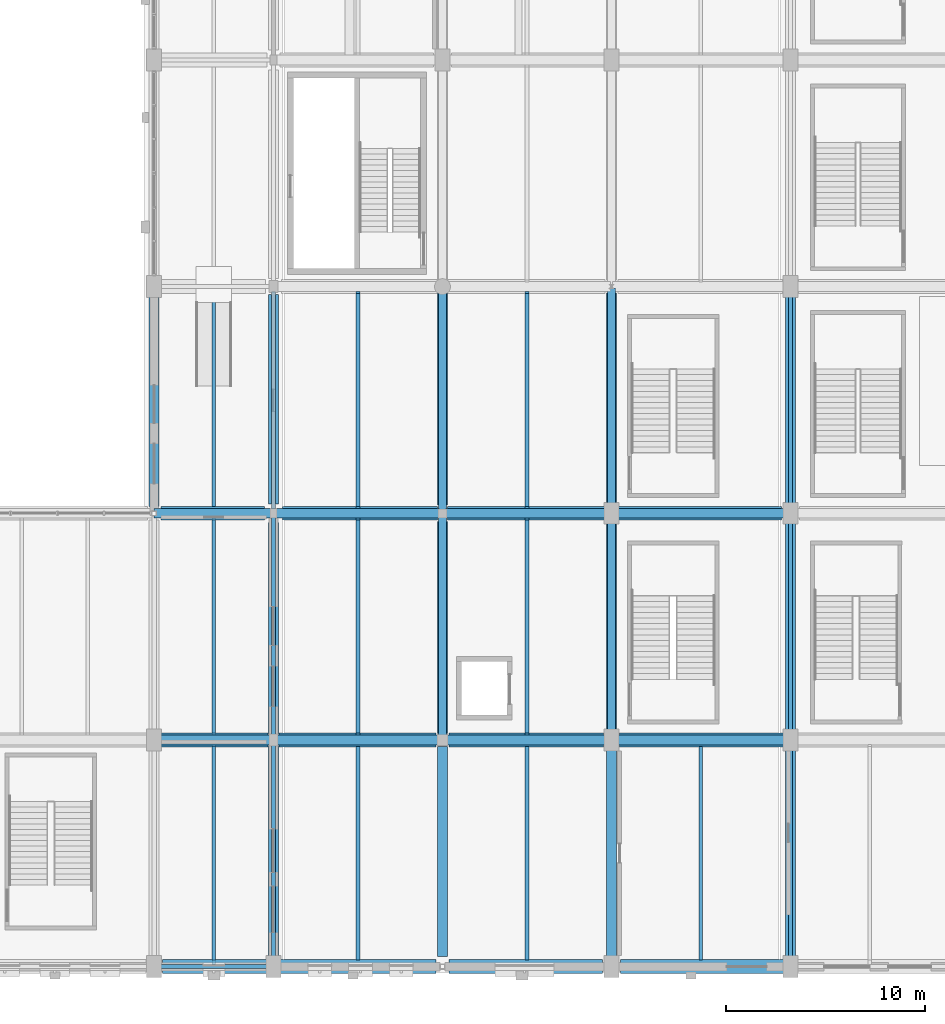
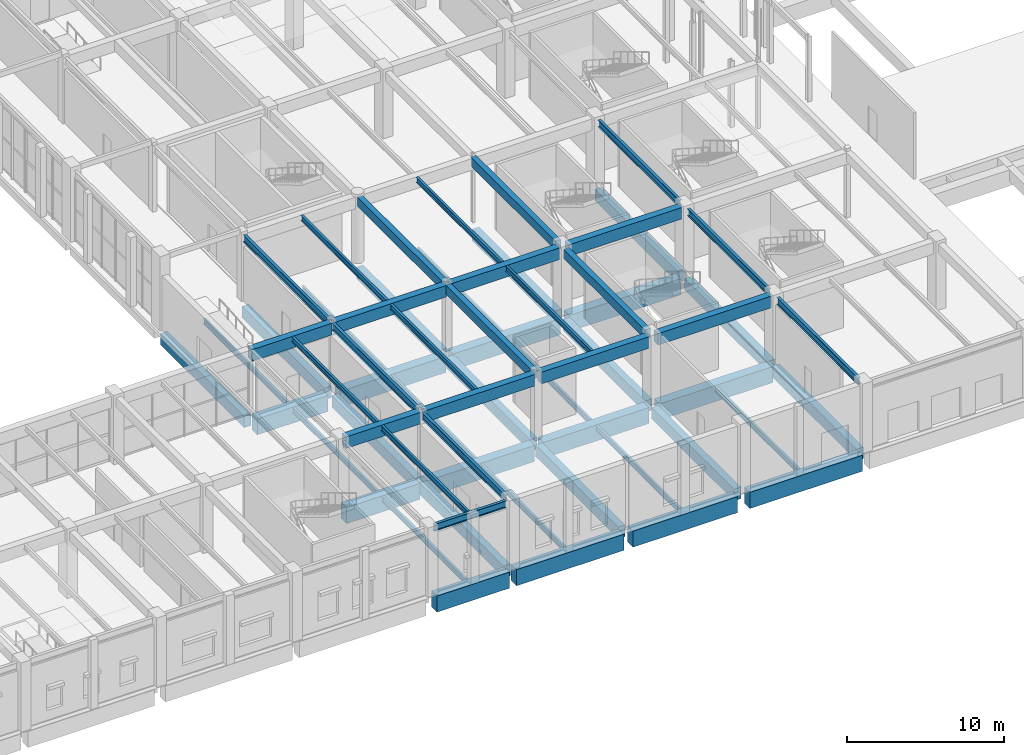
# One storey, part 43 of 113: 60 beams.
"""IFC4 building model written with IfcOpenShell, lengths in metres."""

from ifc_helpers import new_model, si_unit, direction, frame, origin, origin_2d, place, context, subcontext, project, spatial, rectangle, i_section, extrude, material, material_profile, profile_set, type_object, element, save


model = new_model("IFC4")

# Units and contexts
model_context = context("Model", 3, precision=1e-05, world=origin(), true_north=direction((0.0, 1.0)))
body_context = subcontext(model_context, "Body", "Model", "MODEL_VIEW")
ifc_project = project(units=[si_unit("LENGTHUNIT", "METRE"), si_unit("AREAUNIT", "SQUARE_METRE"), si_unit("VOLUMEUNIT", "CUBIC_METRE"), si_unit("PLANEANGLEUNIT", "RADIAN"), si_unit("MASSUNIT", "GRAM", prefix="KILO"), si_unit("POWERUNIT", "WATT"), si_unit("THERMODYNAMICTEMPERATUREUNIT", "KELVIN")], contexts=[model_context])

# Site, building, storey
site_placement = place(None, origin())
site = spatial("IfcSite", under=ifc_project, at=site_placement, CompositionType="ELEMENT")
building_placement = place(site_placement, origin())
building = spatial("IfcBuilding", under=site, at=building_placement, Name="Kelmbourne Parkland Aquatics Centre", CompositionType="ELEMENT")
storey_placement = place(building_placement, origin())
storey = spatial("IfcBuildingStorey", under=building, at=storey_placement, Name="L00", CompositionType="ELEMENT", Elevation=0.0)

# Beams
ifc_material_1 = material(Name="Concrete C40/50", Category="concrete")
ifc_material_profile_1 = material_profile(ifc_material_1, rectangle(XDim=0.5, YDim=0.89990234375, at=origin_2d()), Name="RC 500x900")
ifc_profile_set_1 = profile_set([ifc_material_profile_1], Name="Concrete C40/50")
beam_type_1 = type_object("IfcBeamType", Name="BM-G03", PredefinedType="BEAM", material=ifc_profile_set_1)
beam_1_placement = place(storey_placement, frame((96.0, 23.929931640625, -0.72998046875), z_axis=(0.0, 1.0, 0.0), x_axis=(-1.0, 0.0, 0.0)))
element("IfcBeam", 1, at=beam_1_placement, inside=storey, type_object=beam_type_1, Name="Primary girder 04-05 Grid L (L00)", PredefinedType="BEAM", context=body_context, shape_type="SweptSolid", body=[
    extrude(rectangle(XDim=0.5, YDim=0.89990234375, at=origin_2d()), origin(), (0.0, 0.0, 1.0), 10.6650390625),
])
beam_2_placement = place(storey_placement, frame((102.0, 1.205078125, -0.72998046875), z_axis=(0.0, 1.0, 0.0), x_axis=(-1.0, 0.0, 0.0)))
element("IfcBeam", 2, at=beam_2_placement, inside=storey, type_object=beam_type_1, Name="Primary girder 01-03 Grid M (L00)", PredefinedType="BEAM", context=body_context, shape_type="SweptSolid", body=[
    extrude(rectangle(XDim=0.5, YDim=0.89990234375, at=origin_2d()), origin(), (0.0, 0.0, 1.0), 10.71484375),
])
beam_3_placement = place(storey_placement, frame((102.0, 12.47998046875, -0.72998046875), z_axis=(0.0, 1.0, 0.0), x_axis=(-1.0, 0.0, 0.0)))
element("IfcBeam", 3, at=beam_3_placement, inside=storey, type_object=beam_type_1, Name="Primary girder 03-04 Grid M (L00)", PredefinedType="BEAM", context=body_context, shape_type="SweptSolid", body=[
    extrude(rectangle(XDim=0.5, YDim=0.89990234375, at=origin_2d()), origin(), (0.0, 0.0, 1.0), 10.6650390625),
])
beam_4_placement = place(storey_placement, frame((102.0, 24.054931640625, -0.72998046875), z_axis=(0.0, 1.0, 0.0), x_axis=(-1.0, 0.0, 0.0)))
element("IfcBeam", 4, at=beam_4_placement, inside=storey, type_object=beam_type_1, Name="Primary girder 04-05 Grid M (L00)", PredefinedType="BEAM", context=body_context, shape_type="SweptSolid", body=[
    extrude(rectangle(XDim=0.5, YDim=0.89990234375, at=origin_2d()), origin(), (0.0, 0.0, 1.0), 10.5400390625),
])
beam_5_placement = place(storey_placement, frame((110.5, 1.304931640625, -0.72998046875), z_axis=(0.0, 1.0, 0.0), x_axis=(-1.0, 0.0, 0.0)))
element("IfcBeam", 5, at=beam_5_placement, inside=storey, type_object=beam_type_1, Name="Primary girder 01-03 Grid N (L00)", PredefinedType="BEAM", context=body_context, shape_type="SweptSolid", body=[
    extrude(rectangle(XDim=0.5, YDim=0.89990234375, at=origin_2d()), origin(), (0.0, 0.0, 1.0), 10.565185546875),
])
beam_6_placement = place(storey_placement, frame((110.5, 12.530029296875, -0.72998046875), z_axis=(0.0, 1.0, 0.0), x_axis=(-1.0, 0.0, 0.0)))
element("IfcBeam", 6, at=beam_6_placement, inside=storey, type_object=beam_type_1, Name="Primary girder 03-04 Grid N (L00)", PredefinedType="BEAM", context=body_context, shape_type="SweptSolid", body=[
    extrude(rectangle(XDim=0.5, YDim=0.89990234375, at=origin_2d()), origin(), (0.0, 0.0, 1.0), 10.6650390625),
])
beam_7_placement = place(storey_placement, frame((110.5, 24.0048828125, -0.72998046875), z_axis=(0.0, 1.0, 0.0), x_axis=(-1.0, 0.0, 0.0)))
element("IfcBeam", 7, at=beam_7_placement, inside=storey, type_object=beam_type_1, Name="Primary girder 04-05 Grid N (L00)", PredefinedType="BEAM", context=body_context, shape_type="SweptSolid", body=[
    extrude(rectangle(XDim=0.5, YDim=0.89990234375, at=origin_2d()), origin(), (0.0, 0.0, 1.0), 10.715087890625),
])
beam_8_placement = place(storey_placement, frame((119.0, 1.2548828125, -0.72998046875), z_axis=(0.0, 1.0, 0.0), x_axis=(-1.0, 0.0, 0.0)))
element("IfcBeam", 8, at=beam_8_placement, inside=storey, type_object=beam_type_1, Name="Primary girder 01-03 Grid O (L00)", PredefinedType="BEAM", context=body_context, shape_type="SweptSolid", body=[
    extrude(rectangle(XDim=0.5, YDim=0.89990234375, at=origin_2d()), origin(), (0.0, 0.0, 1.0), 10.5400390625),
])
beam_9_placement = place(storey_placement, frame((119.0, 12.60498046875, -0.72998046875), z_axis=(0.0, 1.0, 0.0), x_axis=(-1.0, 0.0, 0.0)))
element("IfcBeam", 9, at=beam_9_placement, inside=storey, type_object=beam_type_1, Name="Primary girder 03-04 Grid O (L00)", PredefinedType="BEAM", context=body_context, shape_type="SweptSolid", body=[
    extrude(rectangle(XDim=0.5, YDim=0.89990234375, at=origin_2d()), origin(), (0.0, 0.0, 1.0), 10.489990234375),
])
beam_10_placement = place(storey_placement, frame((119.0, 24.10498046875, -0.72998046875), z_axis=(0.0, 1.0, 0.0), x_axis=(-1.0, 0.0, 0.0)))
element("IfcBeam", 10, at=beam_10_placement, inside=storey, type_object=beam_type_1, Name="Primary girder 04-05 Grid O (L00)", PredefinedType="BEAM", context=body_context, shape_type="SweptSolid", body=[
    extrude(rectangle(XDim=0.5, YDim=0.89990234375, at=origin_2d()), origin(), (0.0, 0.0, 1.0), 10.56494140625),
])
beam_11_placement = place(storey_placement, frame((128.0, 1.205078125, -0.72998046875), z_axis=(0.0, 1.0, 0.0), x_axis=(-1.0, 0.0, 0.0)))
element("IfcBeam", 11, at=beam_11_placement, inside=storey, type_object=beam_type_1, Name="Primary girder 01-03 Grid P (L00)", PredefinedType="BEAM", context=body_context, shape_type="SweptSolid", body=[
    extrude(rectangle(XDim=0.5, YDim=0.89990234375, at=origin_2d()), origin(), (0.0, 0.0, 1.0), 10.71484375),
])
beam_12_placement = place(storey_placement, frame((128.0, 12.47998046875, -0.72998046875), z_axis=(0.0, 1.0, 0.0), x_axis=(-1.0, 0.0, 0.0)))
element("IfcBeam", 12, at=beam_12_placement, inside=storey, type_object=beam_type_1, Name="Primary girder 03-04 Grid P (L00)", PredefinedType="BEAM", context=body_context, shape_type="SweptSolid", body=[
    extrude(rectangle(XDim=0.5, YDim=0.89990234375, at=origin_2d()), origin(), (0.0, 0.0, 1.0), 10.6650390625),
])
beam_13_placement = place(storey_placement, frame((128.0, 24.054931640625, -0.72998046875), z_axis=(0.0, 1.0, 0.0), x_axis=(-1.0, 0.0, 0.0)))
element("IfcBeam", 13, at=beam_13_placement, inside=storey, type_object=beam_type_1, Name="Primary girder 04-05 Grid P (L00)", PredefinedType="BEAM", context=body_context, shape_type="SweptSolid", body=[
    extrude(rectangle(XDim=0.5, YDim=0.89990234375, at=origin_2d()), origin(), (0.0, 0.0, 1.0), 10.5400390625),
])
beam_14_placement = place(storey_placement, frame((96.330078125, 12.199951171875, 4.7099609375), z_axis=(1.0, 0.0, 0.0), x_axis=(0.0, 1.0, 0.0)))
element("IfcBeam", 14, at=beam_14_placement, inside=storey, type_object=beam_type_1, Name="Primary girder L-M Grid 03 (L01)", PredefinedType="BEAM", context=body_context, shape_type="SweptSolid", body=[
    extrude(rectangle(XDim=0.5, YDim=0.89990234375, at=origin_2d()), origin(), (0.0, 0.0, 1.0), 5.489990234375),
])
beam_15_placement = place(storey_placement, frame((102.179931640625, 12.199951171875, 4.7099609375), z_axis=(1.0, 0.0, 0.0), x_axis=(0.0, 1.0, 0.0)))
element("IfcBeam", 15, at=beam_15_placement, inside=storey, type_object=beam_type_1, Name="Primary girder M-N Grid 03 (L01)", PredefinedType="BEAM", context=body_context, shape_type="SweptSolid", body=[
    extrude(rectangle(XDim=0.5, YDim=0.89990234375, at=origin_2d()), origin(), (0.0, 0.0, 1.0), 8.090087890625),
])
beam_16_placement = place(storey_placement, frame((110.72998046875, 12.199951171875, 4.7099609375), z_axis=(1.0, 0.0, 0.0), x_axis=(0.0, 1.0, 0.0)))
element("IfcBeam", 16, at=beam_16_placement, inside=storey, type_object=beam_type_1, Name="Primary girder N-O Grid 03 (L01)", PredefinedType="BEAM", context=body_context, shape_type="SweptSolid", body=[
    extrude(rectangle(XDim=0.5, YDim=0.89990234375, at=origin_2d()), origin(), (0.0, 0.0, 1.0), 7.93994140625),
])
beam_17_placement = place(storey_placement, frame((119.330078125, 12.199951171875, 4.7099609375), z_axis=(1.0, 0.0, 0.0), x_axis=(0.0, 1.0, 0.0)))
element("IfcBeam", 17, at=beam_17_placement, inside=storey, type_object=beam_type_1, Name="Primary girder O-P Grid 03 (L01)", PredefinedType="BEAM", context=body_context, shape_type="SweptSolid", body=[
    extrude(rectangle(XDim=0.5, YDim=0.89990234375, at=origin_2d()), origin(), (0.0, 0.0, 1.0), 8.33984375),
])
beam_18_placement = place(storey_placement, frame((96.0, 23.60009765625, 4.7099609375), z_axis=(1.0, 0.0, 0.0), x_axis=(0.0, 1.0, 0.0)))
element("IfcBeam", 18, at=beam_18_placement, inside=storey, type_object=beam_type_1, Name="Primary girder L-M Grid 04 (L01)", PredefinedType="BEAM", context=body_context, shape_type="SweptSolid", body=[
    extrude(rectangle(XDim=0.5, YDim=0.89990234375, at=origin_2d()), origin(), (0.0, 0.0, 1.0), 5.8701171875),
])
beam_19_placement = place(storey_placement, frame((102.1298828125, 23.60009765625, 4.7099609375), z_axis=(1.0, 0.0, 0.0), x_axis=(0.0, 1.0, 0.0)))
element("IfcBeam", 19, at=beam_19_placement, inside=storey, type_object=beam_type_1, Name="Primary girder M-N Grid 04 (L01)", PredefinedType="BEAM", context=body_context, shape_type="SweptSolid", body=[
    extrude(rectangle(XDim=0.5, YDim=0.89990234375, at=origin_2d()), origin(), (0.0, 0.0, 1.0), 8.190185546875),
])
beam_20_placement = place(storey_placement, frame((110.679931640625, 23.60009765625, 4.7099609375), z_axis=(1.0, 0.0, 0.0), x_axis=(0.0, 1.0, 0.0)))
element("IfcBeam", 20, at=beam_20_placement, inside=storey, type_object=beam_type_1, Name="Primary girder N-O Grid 04 (L01)", PredefinedType="BEAM", context=body_context, shape_type="SweptSolid", body=[
    extrude(rectangle(XDim=0.5, YDim=0.89990234375, at=origin_2d()), origin(), (0.0, 0.0, 1.0), 7.989990234375),
])
beam_21_placement = place(storey_placement, frame((119.330078125, 23.60009765625, 4.7099609375), z_axis=(1.0, 0.0, 0.0), x_axis=(0.0, 1.0, 0.0)))
element("IfcBeam", 21, at=beam_21_placement, inside=storey, type_object=beam_type_1, Name="Primary girder O-P Grid 04 (L01)", PredefinedType="BEAM", context=body_context, shape_type="SweptSolid", body=[
    extrude(rectangle(XDim=0.5, YDim=0.89990234375, at=origin_2d()), origin(), (0.0, 0.0, 1.0), 8.33984375),
])
ifc_material_profile_2 = material_profile(ifc_material_1, rectangle(XDim=0.39990234375, YDim=0.699951171875, at=origin_2d()), Name="RC 400x700")
ifc_profile_set_2 = profile_set([ifc_material_profile_2], Name="Concrete C40/50")
beam_type_2 = type_object("IfcBeamType", Name="BM-G05", PredefinedType="BEAM", material=ifc_profile_set_2)
beam_22_placement = place(storey_placement, frame((110.5, 12.429931640625, 4.81005859375), z_axis=(0.0, 1.0, 0.0), x_axis=(-1.0, 0.0, 0.0)))
element("IfcBeam", 22, at=beam_22_placement, inside=storey, type_object=beam_type_2, Name="Primary girder 03-04 Grid N (L01)", PredefinedType="BEAM", context=body_context, shape_type="SweptSolid", body=[
    extrude(rectangle(XDim=0.39990234375, YDim=0.699951171875, at=origin_2d()), origin(), (0.0, 0.0, 1.0), 10.989990234375),
])
beam_23_placement = place(storey_placement, frame((110.5, 23.780029296875, 4.81005859375), z_axis=(0.0, 1.0, 0.0), x_axis=(-1.0, 0.0, 0.0)))
element("IfcBeam", 23, at=beam_23_placement, inside=storey, type_object=beam_type_2, Name="Primary girder 04-05 Grid N (L01)", PredefinedType="BEAM", context=body_context, shape_type="SweptSolid", body=[
    extrude(rectangle(XDim=0.39990234375, YDim=0.699951171875, at=origin_2d()), origin(), (0.0, 0.0, 1.0), 10.97705078125),
])
beam_24_placement = place(storey_placement, frame((119.0, 12.705078125, 4.81005859375), z_axis=(0.0, 1.0, 0.0), x_axis=(-1.0, 0.0, 0.0)))
element("IfcBeam", 24, at=beam_24_placement, inside=storey, type_object=beam_type_2, Name="Primary girder 03-04 Grid O (L01)", PredefinedType="BEAM", context=body_context, shape_type="SweptSolid", body=[
    extrude(rectangle(XDim=0.39990234375, YDim=0.699951171875, at=origin_2d()), origin(), (0.0, 0.0, 1.0), 10.389892578125),
])
beam_25_placement = place(storey_placement, frame((119.0, 24.10498046875, 4.81005859375), z_axis=(0.0, 1.0, 0.0), x_axis=(-1.0, 0.0, 0.0)))
element("IfcBeam", 25, at=beam_25_placement, inside=storey, type_object=beam_type_2, Name="Primary girder 04-05 Grid O (L01)", PredefinedType="BEAM", context=body_context, shape_type="SweptSolid", body=[
    extrude(rectangle(XDim=0.39990234375, YDim=0.699951171875, at=origin_2d()), origin(), (0.0, 0.0, 1.0), 10.8349609375),
])
ifc_material_2 = material(Name="Concrete C50/60", Category="concrete")
ifc_material_profile_3 = material_profile(ifc_material_2, rectangle(XDim=0.699951171875, YDim=1.25, at=origin_2d()), Name="RC 700x1250")
ifc_profile_set_3 = profile_set([ifc_material_profile_3], Name="Concrete C50/60")
beam_type_3 = type_object("IfcBeamType", Name="BM-G08", PredefinedType="BEAM", material=ifc_profile_set_3)
beam_26_placement = place(storey_placement, frame((96.405029296875, 0.800048828125, -0.905029296875), z_axis=(1.0, 0.0, 0.0), x_axis=(0.0, 1.0, 0.0)))
element("IfcBeam", 26, at=beam_26_placement, inside=storey, type_object=beam_type_3, Name="Primary girder L-M Grid 01 (L00)", PredefinedType="BEAM", context=body_context, shape_type="SweptSolid", body=[
    extrude(rectangle(XDim=0.699951171875, YDim=1.25, at=origin_2d()), origin(), (0.0, 0.0, 1.0), 5.340087890625),
])
beam_27_placement = place(storey_placement, frame((102.2548828125, 0.800048828125, -0.905029296875), z_axis=(1.0, 0.0, 0.0), x_axis=(0.0, 1.0, 0.0)))
element("IfcBeam", 27, at=beam_27_placement, inside=storey, type_object=beam_type_3, Name="Primary girder M-N Grid 01 (L00)", PredefinedType="BEAM", context=body_context, shape_type="SweptSolid", body=[
    extrude(rectangle(XDim=0.699951171875, YDim=1.25, at=origin_2d()), origin(), (0.0, 0.0, 1.0), 7.9150390625),
])
beam_28_placement = place(storey_placement, frame((110.830078125, 0.800048828125, -0.905029296875), z_axis=(1.0, 0.0, 0.0), x_axis=(0.0, 1.0, 0.0)))
element("IfcBeam", 28, at=beam_28_placement, inside=storey, type_object=beam_type_3, Name="Primary girder N-O Grid 01 (L00)", PredefinedType="BEAM", context=body_context, shape_type="SweptSolid", body=[
    extrude(rectangle(XDim=0.699951171875, YDim=1.25, at=origin_2d()), origin(), (0.0, 0.0, 1.0), 7.71484375),
])
beam_29_placement = place(storey_placement, frame((119.455078125, 0.800048828125, -0.905029296875), z_axis=(1.0, 0.0, 0.0), x_axis=(0.0, 1.0, 0.0)))
element("IfcBeam", 29, at=beam_29_placement, inside=storey, type_object=beam_type_3, Name="Primary girder O-P Grid 01 (L00)", PredefinedType="BEAM", context=body_context, shape_type="SweptSolid", body=[
    extrude(rectangle(XDim=0.699951171875, YDim=1.25, at=origin_2d()), origin(), (0.0, 0.0, 1.0), 8.2900390625),
])
beam_30_placement = place(storey_placement, frame((96.330078125, 12.199951171875, -0.905029296875), z_axis=(1.0, 0.0, 0.0), x_axis=(0.0, 1.0, 0.0)))
element("IfcBeam", 30, at=beam_30_placement, inside=storey, type_object=beam_type_3, Name="Primary girder L-M Grid 03 (L00)", PredefinedType="BEAM", context=body_context, shape_type="SweptSolid", body=[
    extrude(rectangle(XDim=0.699951171875, YDim=1.25, at=origin_2d()), origin(), (0.0, 0.0, 1.0), 5.389892578125),
])
beam_31_placement = place(storey_placement, frame((102.280029296875, 12.199951171875, -0.905029296875), z_axis=(1.0, 0.0, 0.0), x_axis=(0.0, 1.0, 0.0)))
element("IfcBeam", 31, at=beam_31_placement, inside=storey, type_object=beam_type_3, Name="Primary girder M-N Grid 03 (L00)", PredefinedType="BEAM", context=body_context, shape_type="SweptSolid", body=[
    extrude(rectangle(XDim=0.699951171875, YDim=1.25, at=origin_2d()), origin(), (0.0, 0.0, 1.0), 7.889892578125),
])
beam_32_placement = place(storey_placement, frame((110.830078125, 12.199951171875, -0.905029296875), z_axis=(1.0, 0.0, 0.0), x_axis=(0.0, 1.0, 0.0)))
element("IfcBeam", 32, at=beam_32_placement, inside=storey, type_object=beam_type_3, Name="Primary girder N-O Grid 03 (L00)", PredefinedType="BEAM", context=body_context, shape_type="SweptSolid", body=[
    extrude(rectangle(XDim=0.699951171875, YDim=1.25, at=origin_2d()), origin(), (0.0, 0.0, 1.0), 7.764892578125),
])
beam_33_placement = place(storey_placement, frame((119.405029296875, 12.199951171875, -0.905029296875), z_axis=(1.0, 0.0, 0.0), x_axis=(0.0, 1.0, 0.0)))
element("IfcBeam", 33, at=beam_33_placement, inside=storey, type_object=beam_type_3, Name="Primary girder O-P Grid 03 (L00)", PredefinedType="BEAM", context=body_context, shape_type="SweptSolid", body=[
    extrude(rectangle(XDim=0.699951171875, YDim=1.25, at=origin_2d()), origin(), (0.0, 0.0, 1.0), 8.31494140625),
])
beam_34_placement = place(storey_placement, frame((96.330078125, 23.60009765625, -0.905029296875), z_axis=(1.0, 0.0, 0.0), x_axis=(0.0, 1.0, 0.0)))
element("IfcBeam", 34, at=beam_34_placement, inside=storey, type_object=beam_type_3, Name="Primary girder L-M Grid 04 (L00)", PredefinedType="BEAM", context=body_context, shape_type="SweptSolid", body=[
    extrude(rectangle(XDim=0.699951171875, YDim=1.25, at=origin_2d()), origin(), (0.0, 0.0, 1.0), 5.21484375),
])
beam_35_placement = place(storey_placement, frame((102.455078125, 23.60009765625, -0.905029296875), z_axis=(1.0, 0.0, 0.0), x_axis=(0.0, 1.0, 0.0)))
element("IfcBeam", 35, at=beam_35_placement, inside=storey, type_object=beam_type_3, Name="Primary girder M-N Grid 04 (L00)", PredefinedType="BEAM", context=body_context, shape_type="SweptSolid", body=[
    extrude(rectangle(XDim=0.699951171875, YDim=1.25, at=origin_2d()), origin(), (0.0, 0.0, 1.0), 7.7900390625),
])
beam_36_placement = place(storey_placement, frame((110.7548828125, 23.60009765625, -0.905029296875), z_axis=(1.0, 0.0, 0.0), x_axis=(0.0, 1.0, 0.0)))
element("IfcBeam", 36, at=beam_36_placement, inside=storey, type_object=beam_type_3, Name="Primary girder N-O Grid 04 (L00)", PredefinedType="BEAM", context=body_context, shape_type="SweptSolid", body=[
    extrude(rectangle(XDim=0.699951171875, YDim=1.25, at=origin_2d()), origin(), (0.0, 0.0, 1.0), 7.9150390625),
])
beam_37_placement = place(storey_placement, frame((119.330078125, 23.60009765625, -0.905029296875), z_axis=(1.0, 0.0, 0.0), x_axis=(0.0, 1.0, 0.0)))
element("IfcBeam", 37, at=beam_37_placement, inside=storey, type_object=beam_type_3, Name="Primary girder O-P Grid 04 (L00)", PredefinedType="BEAM", context=body_context, shape_type="SweptSolid", body=[
    extrude(rectangle(XDim=0.699951171875, YDim=1.25, at=origin_2d()), origin(), (0.0, 0.0, 1.0), 8.21484375),
])
ifc_material_3 = material(Name="Structural steel AS/NZS 3679.1 Grade 300", Category="steel")
ifc_material_profile_4 = material_profile(ifc_material_3, i_section(OverallWidth=0.177978515625, OverallDepth=0.406005859375, WebThickness=0.0078125, FlangeThickness=0.0126953125, at=origin_2d()), Name="410UB59.7")
ifc_profile_set_4 = profile_set([ifc_material_profile_4], Name="Structural steel AS/NZS 3679.1 Grade 300")
beam_type_4 = type_object("IfcBeamType", Name="BM-J01", PredefinedType="JOIST", material=ifc_profile_set_4)
beam_38_placement = place(storey_placement, frame((99.0, 1.14208984375, -0.48291015625), z_axis=(0.0, 1.0, 0.0), x_axis=(-1.0, 0.0, 0.0)))
element("IfcBeam", 38, at=beam_38_placement, inside=storey, type_object=beam_type_4, Name="Secondary floor joist L-M/01-03 #1 (L00)", PredefinedType="JOIST", context=body_context, shape_type="SweptSolid", body=[
    extrude(i_section(OverallWidth=0.177978515625, OverallDepth=0.406005859375, WebThickness=0.0078125, FlangeThickness=0.0126953125, at=origin_2d()), origin(), (0.0, 0.0, 1.0), 10.7158203125),
])
for number, where, z_axis, x_axis, name in (
    (39, (99.0, 12.5419921875, -0.48291015625), (0.0, 1.0, 0.0), (-1.0, 0.0, 0.0), "Secondary floor joist L-M/03-04 #1 (L00)"),
    (40, (99.0, 23.94189453125, -0.48291015625), (0.0, 1.0, 0.0), (-1.0, 0.0, 0.0), "Secondary floor joist L-M/04-05 #1 (L00)"),
):
    element("IfcBeam", number, at=place(storey_placement, frame(where, z_axis=z_axis, x_axis=x_axis)), inside=storey, type_object=beam_type_4, Name=name, PredefinedType="JOIST", context=body_context, shape_type="SweptSolid", body=[
        extrude(i_section(OverallWidth=0.177978515625, OverallDepth=0.406005859375, WebThickness=0.0078125, FlangeThickness=0.0126953125, at=origin_2d()), origin(), (0.0, 0.0, 1.0), 10.716064453125),
    ])
beam_39_placement = place(storey_placement, frame((106.25, 1.14208984375, -0.48291015625), z_axis=(0.0, 1.0, 0.0), x_axis=(-1.0, 0.0, 0.0)))
element("IfcBeam", 41, at=beam_39_placement, inside=storey, type_object=beam_type_4, Name="Secondary floor joist M-N/01-03 #1 (L00)", PredefinedType="JOIST", context=body_context, shape_type="SweptSolid", body=[
    extrude(i_section(OverallWidth=0.177978515625, OverallDepth=0.406005859375, WebThickness=0.0078125, FlangeThickness=0.0126953125, at=origin_2d()), origin(), (0.0, 0.0, 1.0), 10.7158203125),
])
for number, where, z_axis, x_axis, name in (
    (42, (106.25, 12.5419921875, -0.48291015625), (0.0, 1.0, 0.0), (-1.0, 0.0, 0.0), "Secondary floor joist M-N/03-04 #1 (L00)"),
    (43, (106.25, 23.94189453125, -0.48291015625), (0.0, 1.0, 0.0), (-1.0, 0.0, 0.0), "Secondary floor joist M-N/04-05 #1 (L00)"),
):
    element("IfcBeam", number, at=place(storey_placement, frame(where, z_axis=z_axis, x_axis=x_axis)), inside=storey, type_object=beam_type_4, Name=name, PredefinedType="JOIST", context=body_context, shape_type="SweptSolid", body=[
        extrude(i_section(OverallWidth=0.177978515625, OverallDepth=0.406005859375, WebThickness=0.0078125, FlangeThickness=0.0126953125, at=origin_2d()), origin(), (0.0, 0.0, 1.0), 10.716064453125),
    ])
beam_40_placement = place(storey_placement, frame((114.75, 1.14208984375, -0.48291015625), z_axis=(0.0, 1.0, 0.0), x_axis=(-1.0, 0.0, 0.0)))
element("IfcBeam", 44, at=beam_40_placement, inside=storey, type_object=beam_type_4, Name="Secondary floor joist N-O/01-03 #1 (L00)", PredefinedType="JOIST", context=body_context, shape_type="SweptSolid", body=[
    extrude(i_section(OverallWidth=0.177978515625, OverallDepth=0.406005859375, WebThickness=0.0078125, FlangeThickness=0.0126953125, at=origin_2d()), origin(), (0.0, 0.0, 1.0), 10.7158203125),
])
for number, where, z_axis, x_axis, name in (
    (45, (114.75, 12.5419921875, -0.48291015625), (0.0, 1.0, 0.0), (-1.0, 0.0, 0.0), "Secondary floor joist N-O/03-04 #1 (L00)"),
    (46, (114.75, 23.94189453125, -0.48291015625), (0.0, 1.0, 0.0), (-1.0, 0.0, 0.0), "Secondary floor joist N-O/04-05 #1 (L00)"),
):
    element("IfcBeam", number, at=place(storey_placement, frame(where, z_axis=z_axis, x_axis=x_axis)), inside=storey, type_object=beam_type_4, Name=name, PredefinedType="JOIST", context=body_context, shape_type="SweptSolid", body=[
        extrude(i_section(OverallWidth=0.177978515625, OverallDepth=0.406005859375, WebThickness=0.0078125, FlangeThickness=0.0126953125, at=origin_2d()), origin(), (0.0, 0.0, 1.0), 10.716064453125),
    ])
beam_41_placement = place(storey_placement, frame((123.5, 1.14208984375, -0.48291015625), z_axis=(0.0, 1.0, 0.0), x_axis=(-1.0, 0.0, 0.0)))
element("IfcBeam", 47, at=beam_41_placement, inside=storey, type_object=beam_type_4, Name="Secondary floor joist O-P/01-03 #1 (L00)", PredefinedType="JOIST", context=body_context, shape_type="SweptSolid", body=[
    extrude(i_section(OverallWidth=0.177978515625, OverallDepth=0.406005859375, WebThickness=0.0078125, FlangeThickness=0.0126953125, at=origin_2d()), origin(), (0.0, 0.0, 1.0), 10.7158203125),
])
beam_42_placement = place(storey_placement, frame((99.0, 0.896484375, 4.95703125), z_axis=(0.0, 1.0, 0.0), x_axis=(-1.0, 0.0, 0.0)))
element("IfcBeam", 48, at=beam_42_placement, inside=storey, type_object=beam_type_4, Name="Secondary floor joist L-M/01-03 #1 (L01)", PredefinedType="JOIST", context=body_context, shape_type="SweptSolid", body=[
    extrude(i_section(OverallWidth=0.177978515625, OverallDepth=0.406005859375, WebThickness=0.0078125, FlangeThickness=0.0126953125, at=origin_2d()), origin(), (0.0, 0.0, 1.0), 11.0615234375),
])
for number, where, z_axis, x_axis, name in (
    (49, (99.0, 12.44189453125, 4.95703125), (0.0, 1.0, 0.0), (-1.0, 0.0, 0.0), "Secondary floor joist L-M/03-04 #1 (L01)"),
    (50, (106.25, 12.44189453125, 4.95703125), (0.0, 1.0, 0.0), (-1.0, 0.0, 0.0), "Secondary floor joist M-N/03-04 #1 (L01)"),
    (51, (106.25, 23.842041015625, 4.95703125), (0.0, 1.0, 0.0), (-1.0, 0.0, 0.0), "Secondary floor joist M-N/04-05 #1 (L01)"),
    (52, (114.75, 12.44189453125, 4.95703125), (0.0, 1.0, 0.0), (-1.0, 0.0, 0.0), "Secondary floor joist N-O/03-04 #1 (L01)"),
    (53, (114.75, 23.842041015625, 4.95703125), (0.0, 1.0, 0.0), (-1.0, 0.0, 0.0), "Secondary floor joist N-O/04-05 #1 (L01)"),
):
    element("IfcBeam", number, at=place(storey_placement, frame(where, z_axis=z_axis, x_axis=x_axis)), inside=storey, type_object=beam_type_4, Name=name, PredefinedType="JOIST", context=body_context, shape_type="SweptSolid", body=[
        extrude(i_section(OverallWidth=0.177978515625, OverallDepth=0.406005859375, WebThickness=0.0078125, FlangeThickness=0.0126953125, at=origin_2d()), origin(), (0.0, 0.0, 1.0), 10.916015625),
    ])
ifc_material_profile_5 = material_profile(ifc_material_3, i_section(OverallWidth=0.208984375, OverallDepth=0.532958984375, WebThickness=0.01025390625, FlangeThickness=0.015625, at=origin_2d()), Name="530UB92.4")
ifc_profile_set_5 = profile_set([ifc_material_profile_5], Name="Structural steel AS/NZS 3679.1 Grade 300")
beam_type_5 = type_object("IfcBeamType", Name="BM-SP02", PredefinedType="SPANDREL", material=ifc_profile_set_5)
beam_43_placement = place(storey_placement, frame((96.330078125, 0.800048828125, 4.8935546875), z_axis=(1.0, 0.0, 0.0), x_axis=(0.0, 1.0, 0.0)))
element("IfcBeam", 54, at=beam_43_placement, inside=storey, type_object=beam_type_5, Name="Perimeter spandrel L-M Grid 01 (L01)", PredefinedType="SPANDREL", context=body_context, shape_type="SweptSolid", body=[
    extrude(i_section(OverallWidth=0.208984375, OverallDepth=0.532958984375, WebThickness=0.01025390625, FlangeThickness=0.015625, at=origin_2d()), origin(), (0.0, 0.0, 1.0), 5.33984375),
])
beam_44_placement = place(storey_placement, frame((102.0, 1.304931640625, 4.8935546875), z_axis=(0.0, 1.0, 0.0), x_axis=(-1.0, 0.0, 0.0)))
element("IfcBeam", 55, at=beam_44_placement, inside=storey, type_object=beam_type_5, Name="Perimeter spandrel 01-03 Grid M (L01)", PredefinedType="SPANDREL", context=body_context, shape_type="SweptSolid", body=[
    extrude(i_section(OverallWidth=0.208984375, OverallDepth=0.532958984375, WebThickness=0.01025390625, FlangeThickness=0.015625, at=origin_2d()), origin(), (0.0, 0.0, 1.0), 10.64013671875),
])
beam_45_placement = place(storey_placement, frame((102.0, 12.455078125, 4.8935546875), z_axis=(0.0, 1.0, 0.0), x_axis=(-1.0, 0.0, 0.0)))
element("IfcBeam", 56, at=beam_45_placement, inside=storey, type_object=beam_type_5, Name="Perimeter spandrel 03-04 Grid M (L01)", PredefinedType="SPANDREL", context=body_context, shape_type="SweptSolid", body=[
    extrude(i_section(OverallWidth=0.208984375, OverallDepth=0.532958984375, WebThickness=0.01025390625, FlangeThickness=0.015625, at=origin_2d()), origin(), (0.0, 0.0, 1.0), 10.93994140625),
])
beam_46_placement = place(storey_placement, frame((102.0, 23.804931640625, 4.8935546875), z_axis=(0.0, 1.0, 0.0), x_axis=(-1.0, 0.0, 0.0)))
element("IfcBeam", 57, at=beam_46_placement, inside=storey, type_object=beam_type_5, Name="Perimeter spandrel 04-05 Grid M (L01)", PredefinedType="SPANDREL", context=body_context, shape_type="SweptSolid", body=[
    extrude(i_section(OverallWidth=0.208984375, OverallDepth=0.532958984375, WebThickness=0.01025390625, FlangeThickness=0.015625, at=origin_2d()), origin(), (0.0, 0.0, 1.0), 10.940185546875),
])
beam_47_placement = place(storey_placement, frame((128.0, 1.304931640625, 4.8935546875), z_axis=(0.0, 1.0, 0.0), x_axis=(-1.0, 0.0, 0.0)))
element("IfcBeam", 58, at=beam_47_placement, inside=storey, type_object=beam_type_5, Name="Perimeter spandrel 01-03 Grid P (L01)", PredefinedType="SPANDREL", context=body_context, shape_type="SweptSolid", body=[
    extrude(i_section(OverallWidth=0.208984375, OverallDepth=0.532958984375, WebThickness=0.01025390625, FlangeThickness=0.015625, at=origin_2d()), origin(), (0.0, 0.0, 1.0), 10.39013671875),
])
beam_48_placement = place(storey_placement, frame((128.0, 12.705078125, 4.8935546875), z_axis=(0.0, 1.0, 0.0), x_axis=(-1.0, 0.0, 0.0)))
element("IfcBeam", 59, at=beam_48_placement, inside=storey, type_object=beam_type_5, Name="Perimeter spandrel 03-04 Grid P (L01)", PredefinedType="SPANDREL", context=body_context, shape_type="SweptSolid", body=[
    extrude(i_section(OverallWidth=0.208984375, OverallDepth=0.532958984375, WebThickness=0.01025390625, FlangeThickness=0.015625, at=origin_2d()), origin(), (0.0, 0.0, 1.0), 10.389892578125),
])
beam_49_placement = place(storey_placement, frame((128.0, 24.10498046875, 4.8935546875), z_axis=(0.0, 1.0, 0.0), x_axis=(-1.0, 0.0, 0.0)))
element("IfcBeam", 60, at=beam_49_placement, inside=storey, type_object=beam_type_5, Name="Perimeter spandrel 04-05 Grid P (L01)", PredefinedType="SPANDREL", context=body_context, shape_type="SweptSolid", body=[
    extrude(i_section(OverallWidth=0.208984375, OverallDepth=0.532958984375, WebThickness=0.01025390625, FlangeThickness=0.015625, at=origin_2d()), origin(), (0.0, 0.0, 1.0), 10.39013671875),
])

save(model, "model.ifc")
